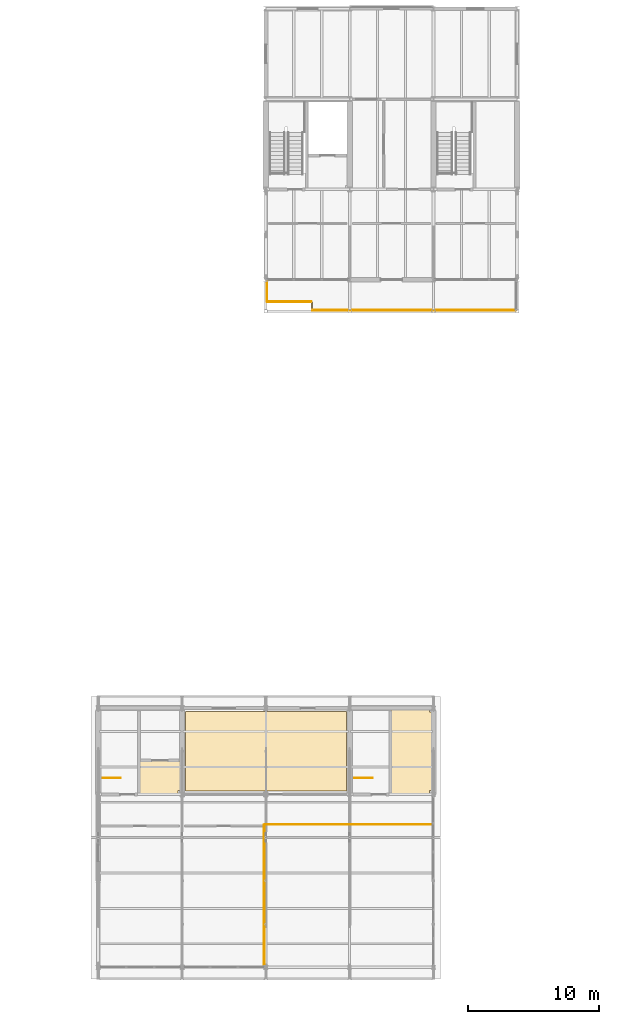
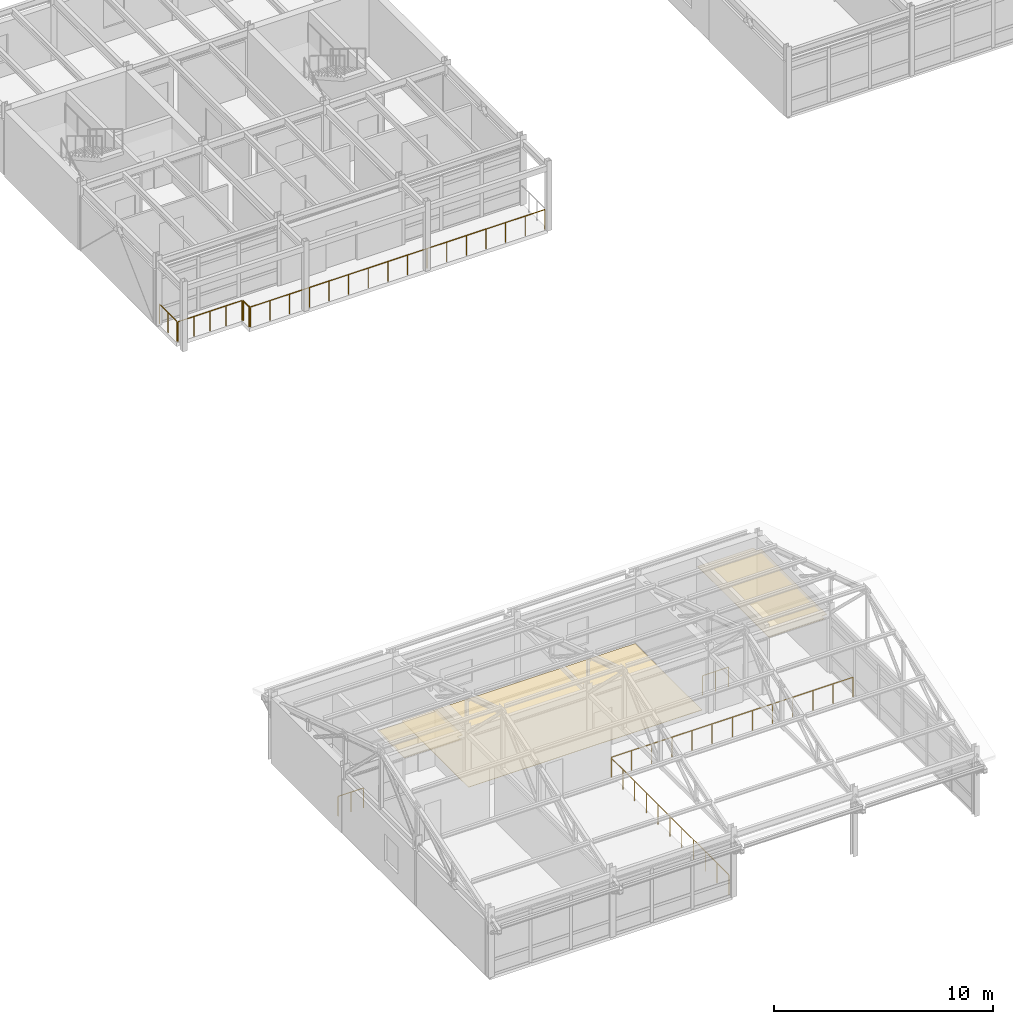
# One storey, part 53 of 57: 8 railings, 3 coverings.
"""IFC4 building model written with IfcOpenShell, lengths in metres."""

from ifc_helpers import new_model, si_unit, direction, frame, origin, origin_2d, place, context, subcontext, project, spatial, polyline, circle, outline, extrude, material, layer, layer_set, type_object, element, save


model = new_model("IFC4")

# Units and contexts
model_context = context("Model", 3, precision=1e-05, world=origin(), true_north=direction((0.0, 1.0)))
body_context = subcontext(model_context, "Body", "Model", "MODEL_VIEW")
ifc_project = project(units=[si_unit("LENGTHUNIT", "METRE"), si_unit("AREAUNIT", "SQUARE_METRE"), si_unit("VOLUMEUNIT", "CUBIC_METRE"), si_unit("PLANEANGLEUNIT", "RADIAN"), si_unit("MASSUNIT", "GRAM", prefix="KILO")], contexts=[model_context])

# Site, building, storey
site_placement = place(None, origin())
site = spatial("IfcSite", under=ifc_project, at=site_placement, CompositionType="ELEMENT")
building_placement = place(site_placement, origin())
building = spatial("IfcBuilding", under=site, at=building_placement, Name="Trelmorton Wharf Fire Station", CompositionType="ELEMENT")
storey_placement = place(building_placement, frame((0.0, 0.0, 13.5)))
storey = spatial("IfcBuildingStorey", under=building, at=storey_placement, Name="L03", CompositionType="ELEMENT", Elevation=13.5)

# Coverings
ifc_material_1 = material(Name="Mineral fibre acoustic ceiling")
ifc_layer_1 = layer(ifc_material_1, 0.02001953125)
ifc_layer_set_1 = layer_set([ifc_layer_1], Name="Mineral fibre acoustic ceiling")
covering_type_1 = type_object("IfcCoveringType", Name="CV_CEIL_ACOU", PredefinedType="CEILING", material=ifc_layer_set_1)
covering_1_placement = place(storey_placement, frame((0.0, 0.0, 2.97998046875)))
element("IfcCovering", 1, at=covering_1_placement, inside=storey, type_object=covering_type_1, Name="CV-CLG-006", PredefinedType="CEILING", context=body_context, shape_type="SweptSolid", body=[
    extrude(outline(polyline([(61.159912109375, 21.0400390625), (61.159912109375, 23.56005859375), (64.360107421875, 23.56005859375), (64.360107421875, 21.300048828125), (64.10009765625, 21.300048828125), (64.10009765625, 21.0400390625), (61.159912109375, 21.0400390625)])), origin(), (0.0, 0.0, 1.0), 0.02001953125),
])
covering_2_placement = place(storey_placement, frame((0.0, 0.0, 2.97998046875)))
element("IfcCovering", 2, at=covering_2_placement, inside=storey, type_object=covering_type_1, Name="CV-CLG-010", PredefinedType="CEILING", context=body_context, shape_type="SweptSolid", body=[
    extrude(outline(polyline([(80.360107421875, 27.56005859375), (83.300048828125, 27.56005859375), (83.300048828125, 27.300048828125), (83.56005859375, 27.300048828125), (83.56005859375, 21.300048828125), (83.300048828125, 21.300048828125), (83.300048828125, 21.0400390625), (80.360107421875, 21.0400390625), (80.360107421875, 27.56005859375)])), origin(), (0.0, 0.0, 1.0), 0.02001953125),
])
ifc_material_2 = material(Name="Quarry tile wet-area flooring")
ifc_layer_2 = layer(ifc_material_2, 0.02001953125)
ifc_layer_set_2 = layer_set([ifc_layer_2], Name="Quarry tile wet-area flooring")
covering_type_2 = type_object("IfcCoveringType", Name="CV_FLOR_TILE", PredefinedType="FLOORING", material=ifc_layer_set_2)
covering_3_placement = place(storey_placement, origin())
element("IfcCovering", 3, at=covering_3_placement, inside=storey, type_object=covering_type_2, Name="CV-FLR-006", PredefinedType="FLOORING", context=body_context, shape_type="SweptSolid", body=[
    extrude(outline(polyline([(76.949951171875, 21.25), (76.949951171875, 27.35009765625), (64.64990234375, 27.35009765625), (64.64990234375, 21.25), (76.949951171875, 21.25)])), origin(), (0.0, 0.0, 1.0), 0.02001953125),
])

# Railings
ifc_material_3 = material(Name="Signal-red architectural steel Grade 350", Category="steel")
railing_type_1 = type_object("IfcRailingType", Name="RL_BAL_RED", PredefinedType="BALUSTRADE", material=ifc_material_3)
railing_1_placement = place(storey_placement, frame((70.8798828125, 60.260009765625, 0.0)))
element("IfcRailing", 4, at=railing_1_placement, inside=storey, type_object=railing_type_1, Name="RL-DECK-L03-062", PredefinedType="BALUSTRADE", context=body_context, shape_type="SweptSolid", body=[
    extrude(circle(Radius=0.02392578125, at=origin_2d()), frame((0.0, 0.0, 1.09619140625), z_axis=(0.0, -1.0, 0.0), x_axis=(1.0, 0.0, 0.0)), (0.0, 0.0, 1.0), 1.60009765625),
    extrude(circle(Radius=0.02099609375, at=origin_2d()), origin(), (0.0, 0.0, 1.0), 1.072021484375),
    extrude(circle(Radius=0.02099609375, at=origin_2d()), frame((0.0, -0.800048828125, 0.0)), (0.0, 0.0, 1.0), 1.072021484375),
    extrude(circle(Radius=0.02099609375, at=origin_2d()), frame((0.0, -1.60009765625, 0.0)), (0.0, 0.0, 1.0), 1.072021484375),
])
railing_2_placement = place(storey_placement, frame((70.919921875, 58.6201171875, 0.0)))
element("IfcRailing", 5, at=railing_2_placement, inside=storey, type_object=railing_type_1, Name="RL-DECK-L03-063", PredefinedType="BALUSTRADE", context=body_context, shape_type="SweptSolid", body=[
    extrude(circle(Radius=0.02392578125, at=origin_2d()), frame((0.0, 0.0, 1.09619140625), z_axis=(1.0, 0.0, 0.0), x_axis=(0.0, 1.0, 0.0)), (0.0, 0.0, 1.0), 3.360107421875),
    extrude(circle(Radius=0.02099609375, at=origin_2d()), origin(), (0.0, 0.0, 1.0), 1.072021484375),
    extrude(circle(Radius=0.02099609375, at=origin_2d()), frame((0.840087890625, 0.0, 0.0)), (0.0, 0.0, 1.0), 1.072021484375),
    extrude(circle(Radius=0.02099609375, at=origin_2d()), frame((1.68017578125, 0.0, 0.0)), (0.0, 0.0, 1.0), 1.072021484375),
    extrude(circle(Radius=0.02099609375, at=origin_2d()), frame((2.52001953125, 0.0, 0.0)), (0.0, 0.0, 1.0), 1.072021484375),
    extrude(circle(Radius=0.02099609375, at=origin_2d()), frame((3.360107421875, 0.0, 0.0)), (0.0, 0.0, 1.0), 1.072021484375),
])
railing_3_placement = place(storey_placement, frame((74.320068359375, 58.580078125, 0.0)))
element("IfcRailing", 6, at=railing_3_placement, inside=storey, type_object=railing_type_1, Name="RL-DECK-L03-064", PredefinedType="BALUSTRADE", context=body_context, shape_type="SweptSolid", body=[
    extrude(circle(Radius=0.02392578125, at=origin_2d()), frame((0.0, 0.0, 1.09619140625), z_axis=(0.0, -1.0, 0.0), x_axis=(1.0, 0.0, 0.0)), (0.0, 0.0, 1.0), 0.56005859375),
    extrude(circle(Radius=0.02099609375, at=origin_2d()), origin(), (0.0, 0.0, 1.0), 1.072021484375),
    extrude(circle(Radius=0.02099609375, at=origin_2d()), frame((0.0, -0.56005859375, 0.0)), (0.0, 0.0, 1.0), 1.072021484375),
])
railing_4_placement = place(storey_placement, frame((74.360107421875, 57.97998046875, 0.0)))
element("IfcRailing", 7, at=railing_4_placement, inside=storey, type_object=railing_type_1, Name="RL-DECK-L03-065", PredefinedType="BALUSTRADE", context=body_context, shape_type="SweptSolid", body=[
    extrude(circle(Radius=0.02392578125, at=origin_2d()), frame((0.0, 0.0, 1.09619140625), z_axis=(1.0, 0.0, 0.0), x_axis=(0.0, 1.0, 0.0)), (0.0, 0.0, 1.0), 15.519775390625),
    extrude(circle(Radius=0.02099609375, at=origin_2d()), origin(), (0.0, 0.0, 1.0), 1.072021484375),
    extrude(circle(Radius=0.02099609375, at=origin_2d()), frame((1.03466796875, 0.0, 0.0)), (0.0, 0.0, 1.0), 1.072021484375),
    extrude(circle(Radius=0.02099609375, at=origin_2d()), frame((2.0693359375, 0.0, 0.0)), (0.0, 0.0, 1.0), 1.072021484375),
    extrude(circle(Radius=0.02099609375, at=origin_2d()), frame((3.10400390625, 0.0, 0.0)), (0.0, 0.0, 1.0), 1.072021484375),
    extrude(circle(Radius=0.02099609375, at=origin_2d()), frame((4.138671875, 0.0, 0.0)), (0.0, 0.0, 1.0), 1.072021484375),
    extrude(circle(Radius=0.02099609375, at=origin_2d()), frame((5.17333984375, 0.0, 0.0)), (0.0, 0.0, 1.0), 1.072021484375),
    extrude(circle(Radius=0.02099609375, at=origin_2d()), frame((6.2080078125, 0.0, 0.0)), (0.0, 0.0, 1.0), 1.072021484375),
    extrude(circle(Radius=0.02099609375, at=origin_2d()), frame((7.24267578125, 0.0, 0.0)), (0.0, 0.0, 1.0), 1.072021484375),
    extrude(circle(Radius=0.02099609375, at=origin_2d()), frame((8.277099609375, 0.0, 0.0)), (0.0, 0.0, 1.0), 1.072021484375),
    extrude(circle(Radius=0.02099609375, at=origin_2d()), frame((9.311767578125, 0.0, 0.0)), (0.0, 0.0, 1.0), 1.072021484375),
    extrude(circle(Radius=0.02099609375, at=origin_2d()), frame((10.346435546875, 0.0, 0.0)), (0.0, 0.0, 1.0), 1.072021484375),
    extrude(circle(Radius=0.02099609375, at=origin_2d()), frame((11.381103515625, 0.0, 0.0)), (0.0, 0.0, 1.0), 1.072021484375),
    extrude(circle(Radius=0.02099609375, at=origin_2d()), frame((12.415771484375, 0.0, 0.0)), (0.0, 0.0, 1.0), 1.072021484375),
    extrude(circle(Radius=0.02099609375, at=origin_2d()), frame((13.450439453125, 0.0, 0.0)), (0.0, 0.0, 1.0), 1.072021484375),
    extrude(circle(Radius=0.02099609375, at=origin_2d()), frame((14.485107421875, 0.0, 0.0)), (0.0, 0.0, 1.0), 1.072021484375),
    extrude(circle(Radius=0.02099609375, at=origin_2d()), frame((15.519775390625, 0.0, 0.0)), (0.0, 0.0, 1.0), 1.072021484375),
])
ifc_material_4 = material(Name="Stainless steel 316 marine grade", Category="steel")
railing_type_2 = type_object("IfcRailingType", Name="RL_BAL_TERR", PredefinedType="BALUSTRADE", material=ifc_material_4)
railing_5_placement = place(storey_placement, frame((70.679931640625, 7.93994140625, 0.0)))
element("IfcRailing", 8, at=railing_5_placement, inside=storey, type_object=railing_type_2, Name="RL-DECK-L03-006", PredefinedType="BALUSTRADE", context=body_context, shape_type="SweptSolid", body=[
    extrude(circle(Radius=0.02392578125, at=origin_2d()), frame((0.0, 0.0, 1.09619140625), z_axis=(0.0, 1.0, 0.0), x_axis=(-1.0, 0.0, 0.0)), (0.0, 0.0, 1.0), 10.739990234375),
    extrude(circle(Radius=0.02099609375, at=origin_2d()), origin(), (0.0, 0.0, 1.0), 1.072021484375),
    extrude(circle(Radius=0.02099609375, at=origin_2d()), frame((0.0, 1.073974609375, 0.0)), (0.0, 0.0, 1.0), 1.072021484375),
    extrude(circle(Radius=0.02099609375, at=origin_2d()), frame((0.0, 2.14794921875, 0.0)), (0.0, 0.0, 1.0), 1.072021484375),
    extrude(circle(Radius=0.02099609375, at=origin_2d()), frame((0.0, 3.221923828125, 0.0)), (0.0, 0.0, 1.0), 1.072021484375),
    extrude(circle(Radius=0.02099609375, at=origin_2d()), frame((0.0, 4.2958984375, 0.0)), (0.0, 0.0, 1.0), 1.072021484375),
    extrude(circle(Radius=0.02099609375, at=origin_2d()), frame((0.0, 5.3701171875, 0.0)), (0.0, 0.0, 1.0), 1.072021484375),
    extrude(circle(Radius=0.02099609375, at=origin_2d()), frame((0.0, 6.444091796875, 0.0)), (0.0, 0.0, 1.0), 1.072021484375),
    extrude(circle(Radius=0.02099609375, at=origin_2d()), frame((0.0, 7.51806640625, 0.0)), (0.0, 0.0, 1.0), 1.072021484375),
    extrude(circle(Radius=0.02099609375, at=origin_2d()), frame((0.0, 8.592041015625, 0.0)), (0.0, 0.0, 1.0), 1.072021484375),
    extrude(circle(Radius=0.02099609375, at=origin_2d()), frame((0.0, 9.666015625, 0.0)), (0.0, 0.0, 1.0), 1.072021484375),
    extrude(circle(Radius=0.02099609375, at=origin_2d()), frame((0.0, 10.739990234375, 0.0)), (0.0, 0.0, 1.0), 1.072021484375),
])
railing_6_placement = place(storey_placement, frame((70.719970703125, 18.719970703125, 0.0)))
element("IfcRailing", 9, at=railing_6_placement, inside=storey, type_object=railing_type_2, Name="RL-DECK-L03-007", PredefinedType="BALUSTRADE", context=body_context, shape_type="SweptSolid", body=[
    extrude(circle(Radius=0.02392578125, at=origin_2d()), frame((0.0, 0.0, 1.09619140625), z_axis=(1.0, 0.0, 0.0), x_axis=(0.0, 1.0, 0.0)), (0.0, 0.0, 1.0), 12.739990234375),
    extrude(circle(Radius=0.02099609375, at=origin_2d()), origin(), (0.0, 0.0, 1.0), 1.072021484375),
    extrude(circle(Radius=0.02099609375, at=origin_2d()), frame((1.061767578125, 0.0, 0.0)), (0.0, 0.0, 1.0), 1.072021484375),
    extrude(circle(Radius=0.02099609375, at=origin_2d()), frame((2.123291015625, 0.0, 0.0)), (0.0, 0.0, 1.0), 1.072021484375),
    extrude(circle(Radius=0.02099609375, at=origin_2d()), frame((3.18505859375, 0.0, 0.0)), (0.0, 0.0, 1.0), 1.072021484375),
    extrude(circle(Radius=0.02099609375, at=origin_2d()), frame((4.24658203125, 0.0, 0.0)), (0.0, 0.0, 1.0), 1.072021484375),
    extrude(circle(Radius=0.02099609375, at=origin_2d()), frame((5.308349609375, 0.0, 0.0)), (0.0, 0.0, 1.0), 1.072021484375),
    extrude(circle(Radius=0.02099609375, at=origin_2d()), frame((6.3701171875, 0.0, 0.0)), (0.0, 0.0, 1.0), 1.072021484375),
    extrude(circle(Radius=0.02099609375, at=origin_2d()), frame((7.431640625, 0.0, 0.0)), (0.0, 0.0, 1.0), 1.072021484375),
    extrude(circle(Radius=0.02099609375, at=origin_2d()), frame((8.493408203125, 0.0, 0.0)), (0.0, 0.0, 1.0), 1.072021484375),
    extrude(circle(Radius=0.02099609375, at=origin_2d()), frame((9.554931640625, 0.0, 0.0)), (0.0, 0.0, 1.0), 1.072021484375),
    extrude(circle(Radius=0.02099609375, at=origin_2d()), frame((10.61669921875, 0.0, 0.0)), (0.0, 0.0, 1.0), 1.072021484375),
    extrude(circle(Radius=0.02099609375, at=origin_2d()), frame((11.67822265625, 0.0, 0.0)), (0.0, 0.0, 1.0), 1.072021484375),
    extrude(circle(Radius=0.02099609375, at=origin_2d()), frame((12.739990234375, 0.0, 0.0)), (0.0, 0.0, 1.0), 1.072021484375),
])
railing_type_3 = type_object("IfcRailingType", Name="RL_WELL_1100", PredefinedType="BALUSTRADE", material=ifc_material_4)
railing_7_placement = place(storey_placement, frame((58.360107421875, 22.260009765625, 0.0)))
element("IfcRailing", 10, at=railing_7_placement, inside=storey, type_object=railing_type_3, Name="RL-UPWELL-STR-C2-L02-04", PredefinedType="BALUSTRADE", context=body_context, shape_type="SweptSolid", body=[
    extrude(circle(Radius=0.02392578125, at=origin_2d()), frame((0.0, 0.0, 1.09619140625), z_axis=(1.0, 0.0, 0.0), x_axis=(0.0, 1.0, 0.0)), (0.0, 0.0, 1.0), 1.33984375),
    extrude(circle(Radius=0.02099609375, at=origin_2d()), origin(), (0.0, 0.0, 1.0), 1.072021484375),
    extrude(circle(Radius=0.02099609375, at=origin_2d()), frame((0.669921875, 0.0, 0.0)), (0.0, 0.0, 1.0), 1.072021484375),
    extrude(circle(Radius=0.02099609375, at=origin_2d()), frame((1.33984375, 0.0, 0.0)), (0.0, 0.0, 1.0), 1.072021484375),
])
railing_8_placement = place(storey_placement, frame((77.56005859375, 22.260009765625, 0.0)))
element("IfcRailing", 11, at=railing_8_placement, inside=storey, type_object=railing_type_3, Name="RL-UPWELL-STR-C2B-L02-07", PredefinedType="BALUSTRADE", context=body_context, shape_type="SweptSolid", body=[
    extrude(circle(Radius=0.02392578125, at=origin_2d()), frame((0.0, 0.0, 1.09619140625), z_axis=(1.0, 0.0, 0.0), x_axis=(0.0, 1.0, 0.0)), (0.0, 0.0, 1.0), 1.3798828125),
    extrude(circle(Radius=0.02099609375, at=origin_2d()), origin(), (0.0, 0.0, 1.0), 1.072021484375),
    extrude(circle(Radius=0.02099609375, at=origin_2d()), frame((0.68994140625, 0.0, 0.0)), (0.0, 0.0, 1.0), 1.072021484375),
    extrude(circle(Radius=0.02099609375, at=origin_2d()), frame((1.3798828125, 0.0, 0.0)), (0.0, 0.0, 1.0), 1.072021484375),
])

save(model, "model.ifc")
